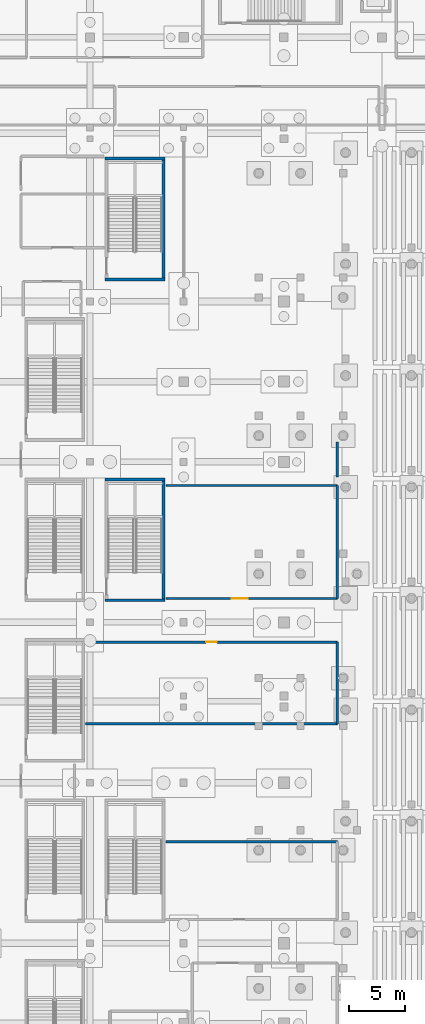
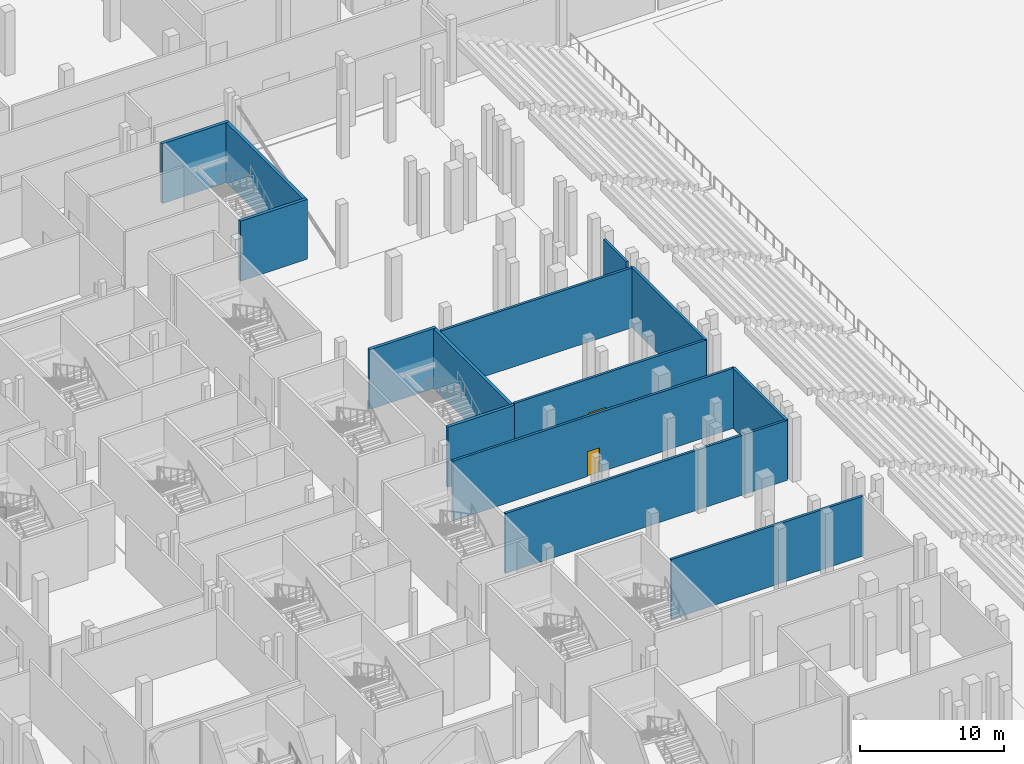
# One storey, part 39 of 89: 14 walls, 2 doors, 2 openings.
"""IFC4 building model written with IfcOpenShell, lengths in metres."""

from ifc_helpers import new_model, si_unit, direction, frame, frame_2d, origin, place, context, subcontext, project, spatial, rectangle, extrude, material, layer, layer_set, type_object, element, fill, save


model = new_model("IFC4")

# Units and contexts
model_context = context("Model", 3, precision=1e-05, world=origin(), true_north=direction((0.0, 1.0)))
body_context = subcontext(model_context, "Body", "Model", "MODEL_VIEW")
ifc_project = project(units=[si_unit("LENGTHUNIT", "METRE"), si_unit("AREAUNIT", "SQUARE_METRE"), si_unit("VOLUMEUNIT", "CUBIC_METRE"), si_unit("PLANEANGLEUNIT", "RADIAN"), si_unit("MASSUNIT", "GRAM", prefix="KILO")], contexts=[model_context])

# Site, building, storey
site_placement = place(None, origin())
site = spatial("IfcSite", under=ifc_project, at=site_placement, CompositionType="ELEMENT")
building_placement = place(site_placement, origin())
building = spatial("IfcBuilding", under=site, at=building_placement, Name="Koshinbarg Plaza Stadium", CompositionType="ELEMENT")
storey_placement = place(building_placement, origin())
storey = spatial("IfcBuildingStorey", under=building, at=storey_placement, Name="L00", CompositionType="ELEMENT", Elevation=0.0)

# Walls
ifc_material_1 = material(Name="Concrete C40/50", Category="concrete")
ifc_layer_1 = layer(ifc_material_1, 0.25)
ifc_layer_set_1 = layer_set([ifc_layer_1], Name="Concrete C40/50")
wall_type_1 = type_object("IfcWallType", Name="WL-CORE-250", PredefinedType="SHEAR", material=ifc_layer_set_1)
for number, where, z_axis, x_axis, name in (
    (1, (47.550048828125, 85.074951171875, 0.0), (0.0, 0.0, 1.0), (1.0, 0.0, 0.0), "L00 vomitory stair shear wall VL03-near IWL-L00-0562"),
    (2, (52.919921875, 95.925048828125, 0.0), (0.0, 0.0, 1.0), (-1.0, 0.0, 0.0), "L00 vomitory stair shear wall VL03-far IWL-L00-0563"),
):
    element("IfcWall", number, at=place(storey_placement, frame(where, z_axis=z_axis, x_axis=x_axis)), inside=storey, type_object=wall_type_1, Name=name, PredefinedType="SHEAR", context=body_context, shape_type="SweptSolid", body=[
        extrude(rectangle(XDim=5.369873046875, YDim=0.25, at=frame_2d((2.68505859375, 0.0))), origin(), (0.0, 0.0, 1.0), 5.080078125),
    ])
wall_1_placement = place(storey_placement, frame((52.794921875, 85.074951171875, 0.0), z_axis=(0.0, 0.0, 1.0), x_axis=(0.0, 1.0, 0.0)))
element("IfcWall", 3, at=wall_1_placement, inside=storey, type_object=wall_type_1, Name="L00 vomitory stair shear wall VL03-right IWL-L00-0565", PredefinedType="SHEAR", context=body_context, shape_type="SweptSolid", body=[
    extrude(rectangle(XDim=10.85009765625, YDim=0.25, at=frame_2d((5.425048828125, 0.0))), origin(), (0.0, 0.0, 1.0), 5.080078125),
])
for number, where, z_axis, x_axis, name in (
    (4, (47.550048828125, 113.875, 0.0), (0.0, 0.0, 1.0), (1.0, 0.0, 0.0), "L00 vomitory stair shear wall VL04-near IWL-L00-0570"),
    (5, (52.919921875, 124.72509765625, 0.0), (0.0, 0.0, 1.0), (-1.0, 0.0, 0.0), "L00 vomitory stair shear wall VL04-far IWL-L00-0571"),
):
    element("IfcWall", number, at=place(storey_placement, frame(where, z_axis=z_axis, x_axis=x_axis)), inside=storey, type_object=wall_type_1, Name=name, PredefinedType="SHEAR", context=body_context, shape_type="SweptSolid", body=[
        extrude(rectangle(XDim=5.369873046875, YDim=0.25, at=frame_2d((2.68505859375, 0.0))), origin(), (0.0, 0.0, 1.0), 5.080078125),
    ])
wall_2_placement = place(storey_placement, frame((52.794921875, 113.875, 0.0), z_axis=(0.0, 0.0, 1.0), x_axis=(0.0, 1.0, 0.0)))
element("IfcWall", 6, at=wall_2_placement, inside=storey, type_object=wall_type_1, Name="L00 vomitory stair shear wall VL04-right IWL-L00-0573", PredefinedType="SHEAR", context=body_context, shape_type="SweptSolid", body=[
    extrude(rectangle(XDim=10.85009765625, YDim=0.25, at=frame_2d((5.425048828125, 0.0))), origin(), (0.0, 0.0, 1.0), 5.080078125),
])
ifc_material_2 = material(Name="Autoclaved aerated blockwork fire partition", Category="masonry")
ifc_layer_2 = layer(ifc_material_2, 0.199951171875)
ifc_layer_set_2 = layer_set([ifc_layer_2], Name="Autoclaved aerated blockwork fire partition")
wall_type_2 = type_object("IfcWallType", Name="WL-PART-200", PredefinedType="PARTITIONING", material=ifc_layer_set_2)
wall_3_placement = place(storey_placement, frame((68.39990234375, 63.4091796875, 0.0), z_axis=(0.0, 0.0, 1.0), x_axis=(-1.0, 0.0, 0.0)))
element("IfcWall", 7, at=wall_3_placement, inside=storey, type_object=wall_type_2, Name="L00 interior partition L00-82-north IWL-L00-1097", PredefinedType="PARTITIONING", context=body_context, shape_type="SweptSolid", body=[
    extrude(rectangle(XDim=15.39990234375, YDim=0.199951171875, at=frame_2d((7.699951171875, 0.0))), origin(), (0.0, 0.0, 1.0), 5.080078125),
])
wall_4_placement = place(storey_placement, frame((45.800048828125, 73.99072265625, 0.0), z_axis=(0.0, 0.0, 1.0), x_axis=(1.0, 0.0, 0.0)))
element("IfcWall", 8, at=wall_4_placement, inside=storey, type_object=wall_type_2, Name="L00 interior partition L00-83-south IWL-L00-1098", PredefinedType="PARTITIONING", context=body_context, shape_type="SweptSolid", body=[
    extrude(rectangle(XDim=22.599853515625, YDim=0.199951171875, at=frame_2d((11.2998046875, 0.0))), origin(), (0.0, 0.0, 1.0), 5.080078125),
])
wall_5_placement = place(storey_placement, frame((68.39990234375, 73.99072265625, 0.0), z_axis=(0.0, 0.0, 1.0), x_axis=(0.0, 1.0, 0.0)))
element("IfcWall", 9, at=wall_5_placement, inside=storey, type_object=wall_type_2, Name="L00 interior partition L00-83-east IWL-L00-1099", PredefinedType="PARTITIONING", context=body_context, shape_type="SweptSolid", body=[
    extrude(rectangle(XDim=7.329345703125, YDim=0.199951171875, at=frame_2d((3.66455078125, 0.0))), origin(), (0.0, 0.0, 1.0), 5.080078125),
])

# Wall, opening, door
wall_6_placement = place(storey_placement, frame((68.39990234375, 81.320068359375, 0.0), z_axis=(0.0, 0.0, 1.0), x_axis=(-1.0, 0.0, 0.0)))
wall_6 = element("IfcWall", 10, at=wall_6_placement, inside=storey, type_object=wall_type_2, Name="L00 interior partition L00-83-north IWL-L00-1100", PredefinedType="PARTITIONING", context=body_context, shape_type="SweptSolid", body=[
    extrude(rectangle(XDim=22.599853515625, YDim=0.199951171875, at=frame_2d((11.2998046875, 0.0))), origin(), (0.0, 0.0, 1.0), 5.080078125),
])
opening_1_placement = place(wall_6_placement, frame((10.820068359375, 0.0, 0.0)))
opening_1 = element("IfcOpeningElement", 11, at=opening_1_placement, cuts=wall_6, Name="Opening D-0352", PredefinedType="OPENING", context=body_context, shape_type="SweptSolid", body=[
    extrude(rectangle(XDim=0.9599609375, YDim=2.10009765625, at=frame_2d((0.47998046875, 1.050048828125))), frame((0.0, 0.10986328125, 0.0), z_axis=(0.0, -1.0, 0.0), x_axis=(1.0, 0.0, 0.0)), (0.0, 0.0, 1.0), 0.219970703125),
])
ifc_material_3 = material(Name="Solid-core oak veneer acoustic door")
door_type_1 = type_object("IfcDoorType", Name="DR-INT-0960x2100", OperationType="NOTDEFINED", PredefinedType="DOOR", material=ifc_material_3)
door_1_placement = place(opening_1_placement, origin())
door_1 = element("IfcDoor", 12, at=door_1_placement, inside=storey, type_object=door_type_1, Name="L00 VIP Hospitality Lounge door D-0352", OperationType="SINGLE_SWING_RIGHT", OverallHeight=2.10009765625, OverallWidth=0.9599609375, PredefinedType="DOOR", context=body_context, shape_type="SweptSolid", body=[
    extrude(rectangle(XDim=0.9599609375, YDim=2.10009765625, at=frame_2d((0.47998046875, 1.050048828125))), frame((0.0, 0.02490234375, 0.0), z_axis=(0.0, -1.0, 0.0), x_axis=(1.0, 0.0, 0.0)), (0.0, 0.0, 1.0), 0.050048828125),
])
fill(opening_1, door_1)

wall_7_placement = place(storey_placement, frame((53.0, 85.22998046875, 0.0), z_axis=(0.0, 0.0, 1.0), x_axis=(1.0, 0.0, 0.0)))
wall_7 = element("IfcWall", 13, at=wall_7_placement, inside=storey, type_object=wall_type_2, Name="L00 interior partition L00-89-south IWL-L00-1112", PredefinedType="PARTITIONING", context=body_context, shape_type="SweptSolid", body=[
    extrude(rectangle(XDim=15.39990234375, YDim=0.199951171875, at=frame_2d((7.699951171875, 0.0))), origin(), (0.0, 0.0, 1.0), 5.080078125),
])
opening_2_placement = place(wall_7_placement, frame((5.93603515625, 0.0, 0.0)))
opening_2 = element("IfcOpeningElement", 14, at=opening_2_placement, cuts=wall_7, Name="Opening D-0358", PredefinedType="OPENING", context=body_context, shape_type="SweptSolid", body=[
    extrude(rectangle(XDim=1.39990234375, YDim=2.199951171875, at=frame_2d((0.699951171875, 1.10009765625))), frame((0.0, 0.10986328125, 0.0), z_axis=(0.0, -1.0, 0.0), x_axis=(1.0, 0.0, 0.0)), (0.0, 0.0, 1.0), 0.219970703125),
])
ifc_material_4 = material(Name="Stainless-clad solid-core timber double fire door", Category="wood")
door_type_2 = type_object("IfcDoorType", Name="DR-INT-1400x2200", OperationType="NOTDEFINED", PredefinedType="DOOR", material=ifc_material_4)
door_2_placement = place(opening_2_placement, origin())
door_2 = element("IfcDoor", 15, at=door_2_placement, inside=storey, type_object=door_type_2, Name="L00 VIP Hospitality Lounge door D-0358", OperationType="DOUBLE_DOOR_SINGLE_SWING", OverallHeight=2.199951171875, OverallWidth=1.39990234375, PredefinedType="DOOR", context=body_context, shape_type="SweptSolid", body=[
    extrude(rectangle(XDim=1.39990234375, YDim=2.199951171875, at=frame_2d((0.699951171875, 1.10009765625))), frame((0.0, 0.02490234375, 0.0), z_axis=(0.0, -1.0, 0.0), x_axis=(1.0, 0.0, 0.0)), (0.0, 0.0, 1.0), 0.050048828125),
])
fill(opening_2, door_2)

# Walls
wall_8_placement = place(storey_placement, frame((68.39990234375, 85.22998046875, 0.0), z_axis=(0.0, 0.0, 1.0), x_axis=(0.0, 1.0, 0.0)))
element("IfcWall", 16, at=wall_8_placement, inside=storey, type_object=wall_type_2, Name="L00 interior partition L00-89-east IWL-L00-1113", PredefinedType="PARTITIONING", context=body_context, shape_type="SweptSolid", body=[
    extrude(rectangle(XDim=10.151123046875, YDim=0.199951171875, at=frame_2d((5.07568359375, 0.0))), origin(), (0.0, 0.0, 1.0), 5.080078125),
])
wall_9_placement = place(storey_placement, frame((68.39990234375, 95.381103515625, 0.0), z_axis=(0.0, 0.0, 1.0), x_axis=(-1.0, 0.0, 0.0)))
element("IfcWall", 17, at=wall_9_placement, inside=storey, type_object=wall_type_2, Name="L00 interior partition L00-89-north IWL-L00-1114", PredefinedType="PARTITIONING", context=body_context, shape_type="SweptSolid", body=[
    extrude(rectangle(XDim=15.39990234375, YDim=0.199951171875, at=frame_2d((7.699951171875, 0.0))), origin(), (0.0, 0.0, 1.0), 5.080078125),
])
wall_10_placement = place(storey_placement, frame((68.39990234375, 96.1298828125, 0.0), z_axis=(0.0, 0.0, 1.0), x_axis=(0.0, 1.0, 0.0)))
element("IfcWall", 18, at=wall_10_placement, inside=storey, type_object=wall_type_2, Name="L00 interior partition L00-90-east IWL-L00-1115", PredefinedType="PARTITIONING", context=body_context, shape_type="SweptSolid", body=[
    extrude(rectangle(XDim=3.14013671875, YDim=0.199951171875, at=frame_2d((1.570068359375, 0.0))), origin(), (0.0, 0.0, 1.0), 5.080078125),
])

save(model, "model.ifc")
